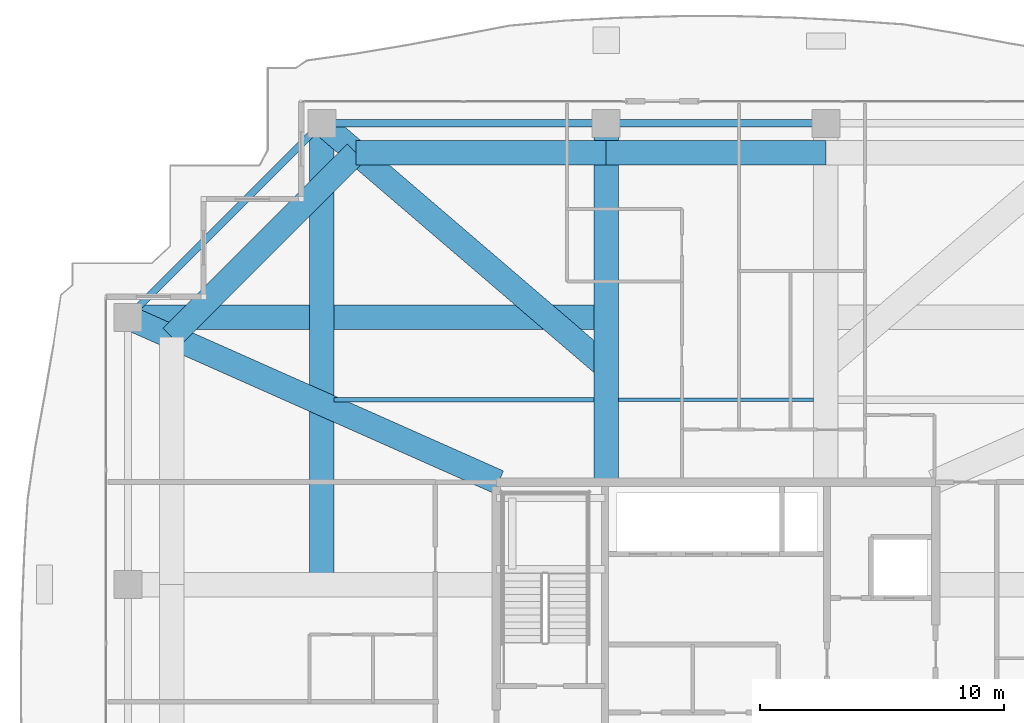
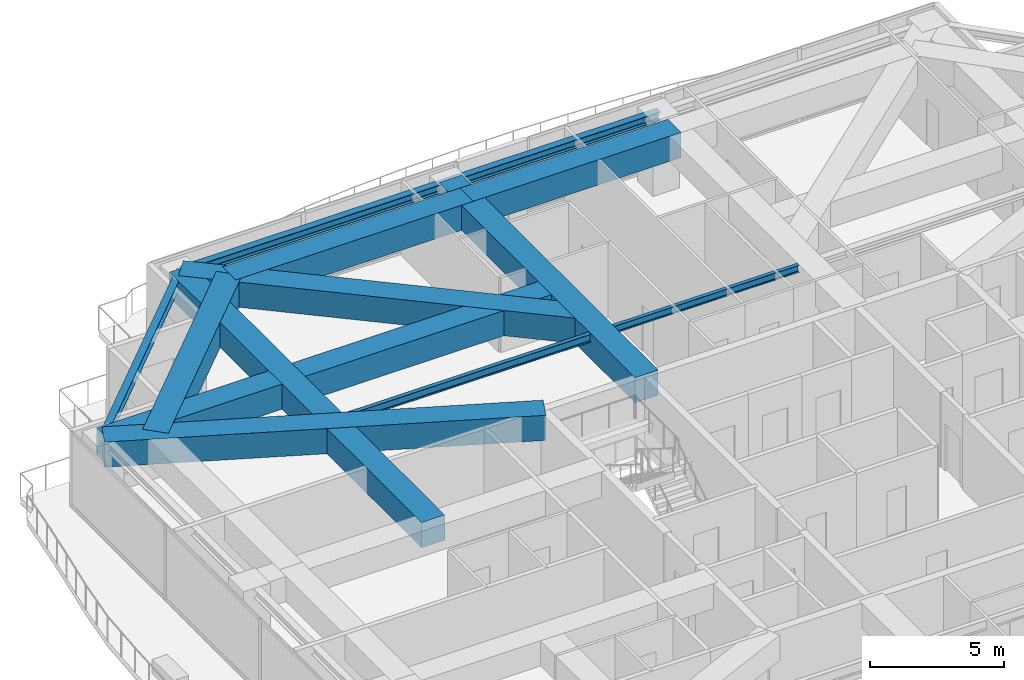
# One storey, part 21 of 39: 13 beams.
"""IFC4 building model written with IfcOpenShell, lengths in metres."""

from ifc_helpers import new_model, si_unit, direction, frame, origin, origin_2d, place, context, subcontext, project, spatial, rectangle, i_section, extrude, source, transform, mapped, material, material_profile, profile_set, type_object, element, save


model = new_model("IFC4")

# Units and contexts
model_context = context("Model", 3, precision=1e-05, world=origin(), true_north=direction((0.0, 1.0)))
body_context = subcontext(model_context, "Body", "Model", "MODEL_VIEW")
ifc_project = project(units=[si_unit("LENGTHUNIT", "METRE"), si_unit("AREAUNIT", "SQUARE_METRE"), si_unit("VOLUMEUNIT", "CUBIC_METRE"), si_unit("PLANEANGLEUNIT", "RADIAN"), si_unit("MASSUNIT", "GRAM", prefix="KILO")], contexts=[model_context])

# Site, building, storey
site_placement = place(None, origin())
site = spatial("IfcSite", under=ifc_project, at=site_placement, CompositionType="ELEMENT")
building_placement = place(site_placement, origin())
building = spatial("IfcBuilding", under=site, at=building_placement, Name="Serunith Strait Residences", CompositionType="ELEMENT")
storey_placement = place(building_placement, frame((0.0, 0.0, 283.60009765625)))
storey = spatial("IfcBuildingStorey", under=building, at=storey_placement, Name="L71", CompositionType="ELEMENT", Elevation=283.60009765625)

# Beams
ifc_material_1 = material(Name="Concrete C80/95", Category="concrete")
ifc_material_profile_1 = material_profile(ifc_material_1, rectangle(XDim=1.0, YDim=1.14990234375, at=origin_2d()), Name="RC 1000x1150")
ifc_profile_set_1 = profile_set([ifc_material_profile_1], Name="Concrete C80/95")
beam_type_1 = type_object("IfcBeamType", Name="BM-XFER-1000x1150", PredefinedType="BEAM", material=ifc_profile_set_1)
shared_shape_1 = source(origin(), body_context, "Body", "SweptSolid", [
    extrude(rectangle(XDim=1.0, YDim=1.14990234375, at=origin_2d()), origin(), (0.0, 0.0, 1.0), 9.0),
])
beam_1_placement = place(storey_placement, frame((36.89990234375, 47.10009765625, 2.8349609375), z_axis=(-1.0, 0.0, 0.0), x_axis=(0.0, -1.0, 0.0)))
element("IfcBeam", 1, at=beam_1_placement, inside=storey, type_object=beam_type_1, Name="L71 Flare Upper Ring Transfer Girder 10", PredefinedType="BEAM", context=body_context, shape_type="MappedRepresentation", body=[
    mapped(shared_shape_1, transform((0.0, 0.0, 0.0), scale=1.0)),
])
shared_shape_2 = source(origin(), body_context, "Body", "SweptSolid", [
    extrude(rectangle(XDim=1.0, YDim=1.14990234375, at=origin_2d()), origin(), (0.0, 0.0, 1.0), 14.699951171875),
])
beam_2_placement = place(storey_placement, frame((27.89990234375, 33.60009765625, 2.8349609375), z_axis=(0.0, 1.0, 0.0), x_axis=(-1.0, 0.0, 0.0)))
element("IfcBeam", 2, at=beam_2_placement, inside=storey, type_object=beam_type_1, Name="L71 Primary Floor Girder TC-N2", PredefinedType="BEAM", context=body_context, shape_type="MappedRepresentation", body=[
    mapped(shared_shape_2, transform((0.0, 0.0, 0.0), scale=1.0)),
])
shared_shape_3 = source(origin(), body_context, "Body", "SweptSolid", [
    extrude(rectangle(XDim=1.0, YDim=1.14990234375, at=origin_2d()), origin(), (0.0, 0.0, 1.0), 10.25),
])
beam_3_placement = place(storey_placement, frame((27.89990234375, 47.10009765625, 2.8349609375), z_axis=(-1.0, 0.0, 0.0), x_axis=(0.0, -1.0, 0.0)))
element("IfcBeam", 3, at=beam_3_placement, inside=storey, type_object=beam_type_1, Name="L71 Flare Upper Ring Transfer Girder 11", PredefinedType="BEAM", context=body_context, shape_type="MappedRepresentation", body=[
    mapped(shared_shape_3, transform((0.0, 0.0, 0.0), scale=1.0)),
])
shared_shape_4 = source(origin(), body_context, "Body", "SweptSolid", [
    extrude(rectangle(XDim=1.0, YDim=1.14990234375, at=origin_2d()), origin(), (0.0, 0.0, 1.0), 10.67724609375),
])
beam_4_placement = place(storey_placement, frame((17.64990234375, 47.10009765625, 2.8349609375), z_axis=(-0.707095348302, -0.707118213887, 0.0), x_axis=(0.707118213887, -0.707095348302, 0.0)))
element("IfcBeam", 4, at=beam_4_placement, inside=storey, type_object=beam_type_1, Name="L71 Flare Upper Ring Transfer Girder 12", PredefinedType="BEAM", context=body_context, shape_type="MappedRepresentation", body=[
    mapped(shared_shape_4, transform((0.0, 0.0, 0.0), scale=1.0)),
])
shared_shape_5 = source(origin(), body_context, "Body", "SweptSolid", [
    extrude(rectangle(XDim=1.0, YDim=1.14990234375, at=origin_2d()), origin(), (0.0, 0.0, 1.0), 18.900146484375),
])
beam_5_placement = place(storey_placement, frame((16.25, 29.39990234375, 2.8349609375), z_axis=(0.0, 1.0, 0.0), x_axis=(-1.0, 0.0, 0.0)))
element("IfcBeam", 5, at=beam_5_placement, inside=storey, type_object=beam_type_1, Name="L71 Orthogonal Corner Girder TC-N1", PredefinedType="BEAM", context=body_context, shape_type="MappedRepresentation", body=[
    mapped(shared_shape_5, transform((0.0, 0.0, 0.0), scale=1.0)),
])
shared_shape_6 = source(origin(), body_context, "Body", "SweptSolid", [
    extrude(rectangle(XDim=1.0, YDim=1.14990234375, at=origin_2d()), origin(), (0.0, 0.0, 1.0), 19.599853515625),
])
beam_6_placement = place(storey_placement, frame((27.89990234375, 40.35009765625, 2.8349609375), z_axis=(-1.0, 0.0, 0.0), x_axis=(0.0, -1.0, 0.0)))
element("IfcBeam", 6, at=beam_6_placement, inside=storey, type_object=beam_type_1, Name="L71 Orthogonal Corner Girder TC-W4", PredefinedType="BEAM", context=body_context, shape_type="MappedRepresentation", body=[
    mapped(shared_shape_6, transform((0.0, 0.0, 0.0), scale=1.0)),
])
ifc_material_2 = material(Name="Steel S355J2", Category="steel")
ifc_material_profile_2 = material_profile(ifc_material_2, i_section(OverallWidth=0.300048828125, OverallDepth=0.39990234375, WebThickness=0.013427734375, FlangeThickness=0.02392578125, FilletRadius=0.027099609375, at=origin_2d()), Name="HEB 400")
ifc_profile_set_2 = profile_set([ifc_material_profile_2], Name="Steel S355J2")
beam_type_2 = type_object("IfcBeamType", Name="BM-HEB400", PredefinedType="BEAM", material=ifc_profile_set_2)
shared_shape_7 = source(origin(), body_context, "Body", "SweptSolid", [
    extrude(i_section(OverallWidth=0.300048828125, OverallDepth=0.39990234375, WebThickness=0.013427734375, FlangeThickness=0.02392578125, FilletRadius=0.027099609375, at=origin_2d()), origin(), (0.0, 0.0, 1.0), 11.64990234375),
])
beam_7_placement = place(storey_placement, frame((27.89990234375, 48.300048828125, 3.206787109375), z_axis=(-1.0, 0.0, 0.0), x_axis=(0.0, -1.0, 0.0)))
element("IfcBeam", 7, at=beam_7_placement, inside=storey, type_object=beam_type_2, Name="L71 Perimeter Ring Beam 11", PredefinedType="BEAM", context=body_context, shape_type="MappedRepresentation", body=[
    mapped(shared_shape_7, transform((0.0, 0.0, 0.0), scale=1.0)),
])
shared_shape_8 = source(origin(), body_context, "Body", "SweptSolid", [
    extrude(i_section(OverallWidth=0.300048828125, OverallDepth=0.39990234375, WebThickness=0.013427734375, FlangeThickness=0.02392578125, FilletRadius=0.027099609375, at=origin_2d()), origin(), (0.0, 0.0, 1.0), 9.0),
])
beam_8_placement = place(storey_placement, frame((36.89990234375, 48.300048828125, 3.206787109375), z_axis=(-1.0, 0.0, 0.0), x_axis=(0.0, -1.0, 0.0)))
element("IfcBeam", 8, at=beam_8_placement, inside=storey, type_object=beam_type_2, Name="L71 Perimeter Ring Beam 10", PredefinedType="BEAM", context=body_context, shape_type="MappedRepresentation", body=[
    mapped(shared_shape_8, transform((0.0, 0.0, 0.0), scale=1.0)),
])
shared_shape_9 = source(origin(), body_context, "Body", "SweptSolid", [
    extrude(i_section(OverallWidth=0.300048828125, OverallDepth=0.39990234375, WebThickness=0.013427734375, FlangeThickness=0.02392578125, FilletRadius=0.027099609375, at=origin_2d()), origin(), (0.0, 0.0, 1.0), 11.242919921875),
])
beam_9_placement = place(storey_placement, frame((16.25, 48.300048828125, 3.206787109375), z_axis=(-0.707106781187, -0.707106781187, 0.0), x_axis=(0.707106781187, -0.707106781187, 0.0)))
element("IfcBeam", 9, at=beam_9_placement, inside=storey, type_object=beam_type_2, Name="L71 Perimeter Ring Beam 12", PredefinedType="BEAM", context=body_context, shape_type="MappedRepresentation", body=[
    mapped(shared_shape_9, transform((0.0, 0.0, 0.0), scale=1.0)),
])
shared_shape_10 = source(origin(), body_context, "Body", "SweptSolid", [
    extrude(rectangle(XDim=1.0, YDim=1.14990234375, at=origin_2d()), origin(), (0.0, 0.0, 1.0), 15.343994140625),
])
beam_10_placement = place(storey_placement, frame((16.25, 48.300048828125, 2.8349609375), z_axis=(0.75924986347, -0.650799235418, 0.0), x_axis=(0.650799235418, 0.75924986347, 0.0)))
element("IfcBeam", 10, at=beam_10_placement, inside=storey, type_object=beam_type_1, Name="L71 Diagonal Corner Transfer Girder TC-N1", PredefinedType="BEAM", context=body_context, shape_type="MappedRepresentation", body=[
    mapped(shared_shape_10, transform((0.0, 0.0, 0.0), scale=1.0)),
])
shared_shape_11 = source(origin(), body_context, "Body", "SweptSolid", [
    extrude(rectangle(XDim=1.0, YDim=1.14990234375, at=origin_2d()), origin(), (0.0, 0.0, 1.0), 16.619873046875),
])
beam_11_placement = place(storey_placement, frame((8.300048828125, 40.35009765625, 2.8349609375), z_axis=(0.91381154862, -0.406138466053, 0.0), x_axis=(0.406138466053, 0.91381154862, 0.0)))
element("IfcBeam", 11, at=beam_11_placement, inside=storey, type_object=beam_type_1, Name="L71 Diagonal Corner Transfer Girder TC-W4", PredefinedType="BEAM", context=body_context, shape_type="MappedRepresentation", body=[
    mapped(shared_shape_11, transform((0.0, 0.0, 0.0), scale=1.0)),
])
ifc_material_profile_3 = material_profile(ifc_material_2, i_section(OverallWidth=0.169921875, OverallDepth=0.360107421875, WebThickness=0.008056640625, FlangeThickness=0.0126953125, FilletRadius=0.01806640625, at=origin_2d()), Name="IPE 360")
ifc_profile_set_3 = profile_set([ifc_material_profile_3], Name="Steel S355J2")
beam_type_3 = type_object("IfcBeamType", Name="BM-IPE360", PredefinedType="JOIST", material=ifc_profile_set_3)
shared_shape_12 = source(origin(), body_context, "Body", "SweptSolid", [
    extrude(i_section(OverallWidth=0.169921875, OverallDepth=0.360107421875, WebThickness=0.008056640625, FlangeThickness=0.0126953125, FilletRadius=0.01806640625, at=origin_2d()), origin(), (0.0, 0.0, 1.0), 10.64990234375),
])
beam_12_placement = place(storey_placement, frame((16.75, 36.97509765625, 3.226806640625), z_axis=(1.0, 0.0, 0.0), x_axis=(0.0, 1.0, 0.0)))
element("IfcBeam", 12, at=beam_12_placement, inside=storey, type_object=beam_type_3, Name="L71 Composite Floor Joist 04", PredefinedType="JOIST", context=body_context, shape_type="MappedRepresentation", body=[
    mapped(shared_shape_12, transform((0.0, 0.0, 0.0), scale=1.0)),
])
ifc_material_profile_4 = material_profile(ifc_material_2, i_section(OverallWidth=0.159912109375, OverallDepth=0.330078125, WebThickness=0.007568359375, FlangeThickness=0.011474609375, FilletRadius=0.01806640625, at=origin_2d()), Name="IPE 330")
ifc_profile_set_4 = profile_set([ifc_material_profile_4], Name="Steel S355J2")
beam_type_4 = type_object("IfcBeamType", Name="BM-IPE330", PredefinedType="JOIST", material=ifc_profile_set_4)
shared_shape_13 = source(origin(), body_context, "Body", "SweptSolid", [
    extrude(i_section(OverallWidth=0.159912109375, OverallDepth=0.330078125, WebThickness=0.007568359375, FlangeThickness=0.011474609375, FilletRadius=0.01806640625, at=origin_2d()), origin(), (0.0, 0.0, 1.0), 8.0),
])
beam_13_placement = place(storey_placement, frame((28.39990234375, 36.97509765625, 3.241943359375), z_axis=(1.0, 0.0, 0.0), x_axis=(0.0, 1.0, 0.0)))
element("IfcBeam", 13, at=beam_13_placement, inside=storey, type_object=beam_type_4, Name="L71 Composite Floor Joist 05", PredefinedType="JOIST", context=body_context, shape_type="MappedRepresentation", body=[
    mapped(shared_shape_13, transform((0.0, 0.0, 0.0), scale=1.0)),
])

save(model, "model.ifc")
